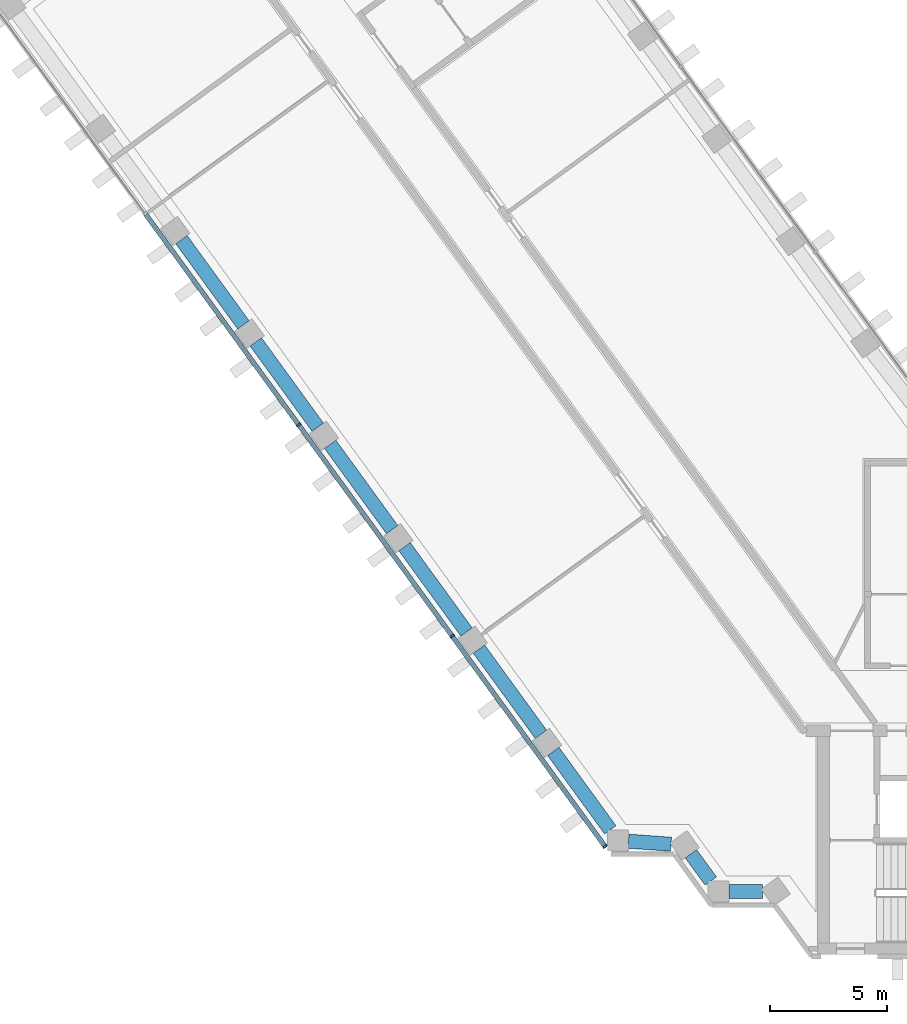
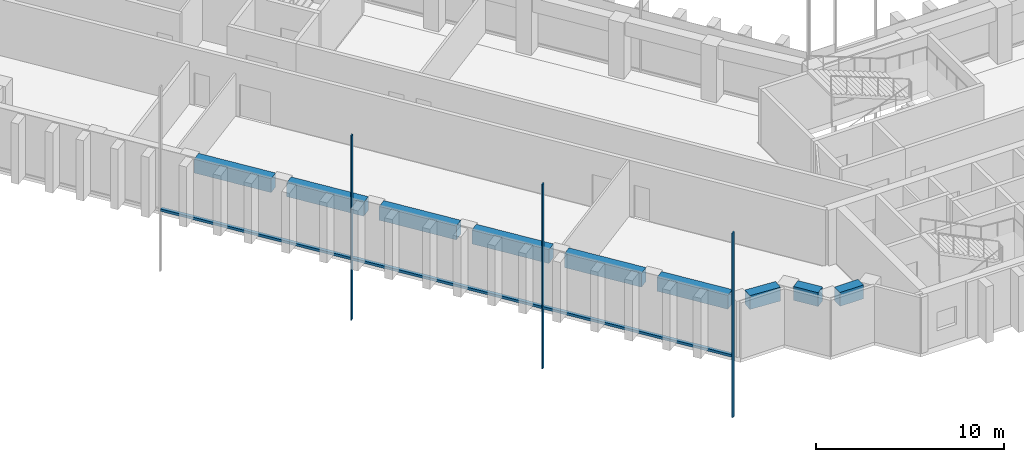
# One storey, part 2 of 16: 9 beams, 6 members, 1 element without a shape of its own.
"""IFC4 building model written with IfcOpenShell, lengths in metres."""

from ifc_helpers import new_model, si_unit, direction, frame, origin, origin_2d, place, context, subcontext, project, spatial, rectangle, extrude, material, material_profile, profile_set, type_object, element, aggregate, save


model = new_model("IFC4")

# Units and contexts
model_context = context("Model", 3, precision=1e-05, world=origin(), true_north=direction((0.0, 1.0)))
body_context = subcontext(model_context, "Body", "Model", "MODEL_VIEW")
ifc_project = project(units=[si_unit("LENGTHUNIT", "METRE"), si_unit("AREAUNIT", "SQUARE_METRE"), si_unit("VOLUMEUNIT", "CUBIC_METRE"), si_unit("PLANEANGLEUNIT", "RADIAN"), si_unit("MASSUNIT", "GRAM", prefix="KILO")], contexts=[model_context])

# Site, building, storey
site_placement = place(None, origin())
site = spatial("IfcSite", under=ifc_project, at=site_placement, CompositionType="ELEMENT")
building_placement = place(site_placement, origin())
building = spatial("IfcBuilding", under=site, at=building_placement, Name="Quipu Civic Tower", CompositionType="ELEMENT")
storey_placement = place(building_placement, frame((0.0, 0.0, 113.0)))
storey = spatial("IfcBuildingStorey", under=building, at=storey_placement, Name="L26", CompositionType="ELEMENT", Elevation=113.0)

# Curtain wall, members
ifc_material_1 = material(Name="Insulated glass unit", Category="glass")
curtain_wall_type = type_object("IfcCurtainWallType", Name="Office curtain wall CW1", PredefinedType="NOTDEFINED", material=ifc_material_1)
curtain_wall_placement = place(storey_placement, origin())
curtain_wall = element("IfcCurtainWall", 1, at=curtain_wall_placement, inside=storey, type_object=curtain_wall_type, Name="Office curtain wall CW1 L25 run 11", PredefinedType="NOTDEFINED")
ifc_material_2 = material(Name="Anodised aluminium", Category="aluminium")
ifc_material_profile_1 = material_profile(ifc_material_2, rectangle(XDim=0.199951171875, YDim=0.080078125, at=origin_2d()), Name="RECT 200x80")
ifc_profile_set_1 = profile_set([ifc_material_profile_1], Name="Anodised aluminium")
member_type_1 = type_object("IfcMemberType", Name="Mullion CW1", PredefinedType="MULLION", material=ifc_profile_set_1)
member_1_placement = place(storey_placement, frame((-42.155029296875, 11.609130859375, -3.919921875), z_axis=(0.0, 0.0, 1.0), x_axis=(0.809016770908, 0.587785559869, 0.0)))
member_1 = element("IfcMember", 2, at=member_1_placement, type_object=member_type_1, Name="CW1 mullion 3", PredefinedType="MULLION", context=body_context, shape_type="SweptSolid", body=[
    extrude(rectangle(XDim=0.199951171875, YDim=0.080078125, at=origin_2d()), origin(), (0.0, 0.0, 1.0), 12.0),
])
member_2_placement = place(storey_placement, frame((-35.60546875, 2.594482421875, -3.919921875), z_axis=(0.0, 0.0, 1.0), x_axis=(0.809016770908, 0.587785559869, 0.0)))
member_2 = element("IfcMember", 3, at=member_2_placement, type_object=member_type_1, Name="CW1 mullion 4", PredefinedType="MULLION", context=body_context, shape_type="SweptSolid", body=[
    extrude(rectangle(XDim=0.199951171875, YDim=0.080078125, at=origin_2d()), origin(), (0.0, 0.0, 1.0), 12.0),
])
member_3_placement = place(storey_placement, frame((-29.079345703125, -6.3876953125, -3.919921875), z_axis=(0.0, 0.0, 1.0), x_axis=(0.809016770908, 0.587785559869, 0.0)))
member_3 = element("IfcMember", 4, at=member_3_placement, type_object=member_type_1, Name="CW1 mullion 5", PredefinedType="MULLION", context=body_context, shape_type="SweptSolid", body=[
    extrude(rectangle(XDim=0.199951171875, YDim=0.080078125, at=origin_2d()), origin(), (0.0, 0.0, 1.0), 12.0),
])

# Beams
ifc_material_3 = material(Name="Concrete C50/60", Category="concrete")
ifc_material_profile_2 = material_profile(ifc_material_3, rectangle(XDim=0.60009765625, YDim=0.89990234375, at=origin_2d()), Name="RC600x900")
ifc_profile_set_2 = profile_set([ifc_material_profile_2], Name="Concrete C50/60")
beam_type = type_object("IfcBeamType", Name="Spandrel beam RC 600x900 C50/60", PredefinedType="SPANDREL", material=ifc_profile_set_2)
beam_1_placement = place(storey_placement, frame((-47.15380859375, 19.5107421875, 3.199951171875), z_axis=(0.587803872688, -0.809003465539, 0.0), x_axis=(0.809003465539, 0.587803872688, 0.0)))
element("IfcBeam", 5, at=beam_1_placement, inside=storey, type_object=beam_type, Name="Spandrel beam L26 W-OUT-06 to W-OUT-05", PredefinedType="SPANDREL", context=body_context, shape_type="SweptSolid", body=[
    extrude(rectangle(XDim=0.60009765625, YDim=0.89990234375, at=origin_2d()), origin(), (0.0, 0.0, 1.0), 4.499755859375),
])
for number, where, z_axis, x_axis, name in (
    (6, (-43.97998046875, 15.14208984375, 3.199951171875), (0.587778073121, -0.809022210299, 0.0), (0.809022210299, 0.587778073121, 0.0), "Spandrel beam L26 W-OUT-05 to W-OUT-04"),
    (7, (-40.805908203125, 10.7734375, 3.199951171875), (0.587778073121, -0.809022210299, 0.0), (0.809022210299, 0.587778073121, 0.0), "Spandrel beam L26 W-OUT-04 to W-OUT-03"),
):
    element("IfcBeam", number, at=place(storey_placement, frame(where, z_axis=z_axis, x_axis=x_axis)), inside=storey, type_object=beam_type, Name=name, PredefinedType="SPANDREL", context=body_context, shape_type="SweptSolid", body=[
        extrude(rectangle(XDim=0.60009765625, YDim=0.89990234375, at=origin_2d()), origin(), (0.0, 0.0, 1.0), 4.5),
    ])
beam_2_placement = place(storey_placement, frame((-37.6318359375, 6.404541015625, 3.199951171875), z_axis=(0.587803872688, -0.809003465539, 0.0), x_axis=(0.809003465539, 0.587803872688, 0.0)))
element("IfcBeam", 8, at=beam_2_placement, inside=storey, type_object=beam_type, Name="Spandrel beam L26 W-OUT-03 to W-OUT-02", PredefinedType="SPANDREL", context=body_context, shape_type="SweptSolid", body=[
    extrude(rectangle(XDim=0.60009765625, YDim=0.89990234375, at=origin_2d()), origin(), (0.0, 0.0, 1.0), 4.499755859375),
])
beam_3_placement = place(storey_placement, frame((-34.457763671875, 2.035888671875, 3.199951171875), z_axis=(0.587778073121, -0.809022210299, 0.0), x_axis=(0.809022210299, 0.587778073121, 0.0)))
element("IfcBeam", 9, at=beam_3_placement, inside=storey, type_object=beam_type, Name="Spandrel beam L26 W-OUT-02 to W-OUT-01", PredefinedType="SPANDREL", context=body_context, shape_type="SweptSolid", body=[
    extrude(rectangle(XDim=0.60009765625, YDim=0.89990234375, at=origin_2d()), origin(), (0.0, 0.0, 1.0), 4.5),
])
beam_4_placement = place(storey_placement, frame((-31.28369140625, -2.332763671875, 3.199951171875), z_axis=(0.587750565781, -0.809042194464, 0.0), x_axis=(0.809042194464, 0.587750565781, 0.0)))
element("IfcBeam", 10, at=beam_4_placement, inside=storey, type_object=beam_type, Name="Spandrel beam L26 W-OUT-01 to J-Wo.0", PredefinedType="SPANDREL", context=body_context, shape_type="SweptSolid", body=[
    extrude(rectangle(XDim=0.60009765625, YDim=0.89990234375, at=origin_2d()), origin(), (0.0, 0.0, 1.0), 4.13720703125),
])
beam_5_placement = place(storey_placement, frame((-28.074951171875, -6.16259765625, 3.199951171875), z_axis=(0.997367229877, -0.072516265536, 0.0), x_axis=(0.072516265536, 0.997367229877, 0.0)))
element("IfcBeam", 11, at=beam_5_placement, inside=storey, type_object=beam_type, Name="Spandrel beam L26 J-Wo.0 to J-Wo.1", PredefinedType="SPANDREL", context=body_context, shape_type="SweptSolid", body=[
    extrude(rectangle(XDim=0.60009765625, YDim=0.89990234375, at=origin_2d()), origin(), (0.0, 0.0, 1.0), 1.818115234375),
])
beam_6_placement = place(storey_placement, frame((-25.40966796875, -6.700927734375, 3.199951171875), z_axis=(0.588433824377, -0.808545381738, 0.0), x_axis=(0.808545381738, 0.588433824377, 0.0)))
element("IfcBeam", 12, at=beam_6_placement, inside=storey, type_object=beam_type, Name="Spandrel beam L26 J-Wo.1 to J-Wo.2", PredefinedType="SPANDREL", context=body_context, shape_type="SweptSolid", body=[
    extrude(rectangle(XDim=0.60009765625, YDim=0.89990234375, at=origin_2d()), origin(), (0.0, 0.0, 1.0), 1.439697265625),
])
beam_7_placement = place(storey_placement, frame((-23.784912109375, -8.31494140625, 3.199951171875), z_axis=(1.0, 0.0, 0.0), x_axis=(0.0, 1.0, 0.0)))
element("IfcBeam", 13, at=beam_7_placement, inside=storey, type_object=beam_type, Name="Spandrel beam L26 J-Wo.2 to J-Wo.3", PredefinedType="SPANDREL", context=body_context, shape_type="SweptSolid", body=[
    extrude(rectangle(XDim=0.60009765625, YDim=0.89990234375, at=origin_2d()), origin(), (0.0, 0.0, 1.0), 1.436767578125),
])

# Member
ifc_material_4 = material(Name="Anodised aluminium", Category="aluminium")
ifc_material_profile_3 = material_profile(ifc_material_4, rectangle(XDim=0.199951171875, YDim=0.159912109375, at=origin_2d()), Name="RECT 200x160")
ifc_profile_set_3 = profile_set([ifc_material_profile_3], Name="Anodised aluminium")
member_type_2 = type_object("IfcMemberType", Name="Transom CW1", PredefinedType="USERDEFINED", material=ifc_profile_set_3)
member_4_placement = place(storey_placement, frame((-48.68115234375, 20.591552734375, 0.080078125), z_axis=(0.587795037589, -0.80900988485, 0.0), x_axis=(0.80900988485, 0.587795037589, 0.0)))
member_4 = element("IfcMember", 14, at=member_4_placement, type_object=member_type_2, Name="CW1 transom 2.2", ObjectType="TRANSOM", PredefinedType="USERDEFINED", context=body_context, shape_type="SweptSolid", body=[
    extrude(rectangle(XDim=0.199951171875, YDim=0.159912109375, at=origin_2d()), origin(), (0.0, 0.0, 1.0), 11.062744140625),
])

member_5_placement = place(storey_placement, frame((-42.131591796875, 11.576904296875, 0.080078125), z_axis=(0.587795037589, -0.80900988485, 0.0), x_axis=(0.80900988485, 0.587795037589, 0.0)))
member_5 = element("IfcMember", 15, at=member_5_placement, type_object=member_type_2, Name="CW1 transom 3.2", ObjectType="TRANSOM", PredefinedType="USERDEFINED", context=body_context, shape_type="SweptSolid", body=[
    extrude(rectangle(XDim=0.199951171875, YDim=0.159912109375, at=origin_2d()), origin(), (0.0, 0.0, 1.0), 11.062744140625),
])

member_6_placement = place(storey_placement, frame((-35.58203125, 2.562255859375, 0.080078125), z_axis=(0.587779179422, -0.809021406539, 0.0), x_axis=(0.809021406539, 0.587779179422, 0.0)))
member_6 = element("IfcMember", 16, at=member_6_placement, type_object=member_type_2, Name="CW1 transom 4.2", ObjectType="TRANSOM", PredefinedType="USERDEFINED", context=body_context, shape_type="SweptSolid", body=[
    extrude(rectangle(XDim=0.199951171875, YDim=0.159912109375, at=origin_2d()), origin(), (0.0, 0.0, 1.0), 11.02294921875),
])

aggregate(curtain_wall, [member_1, member_2, member_3, member_4, member_5, member_6])

save(model, "model.ifc")
